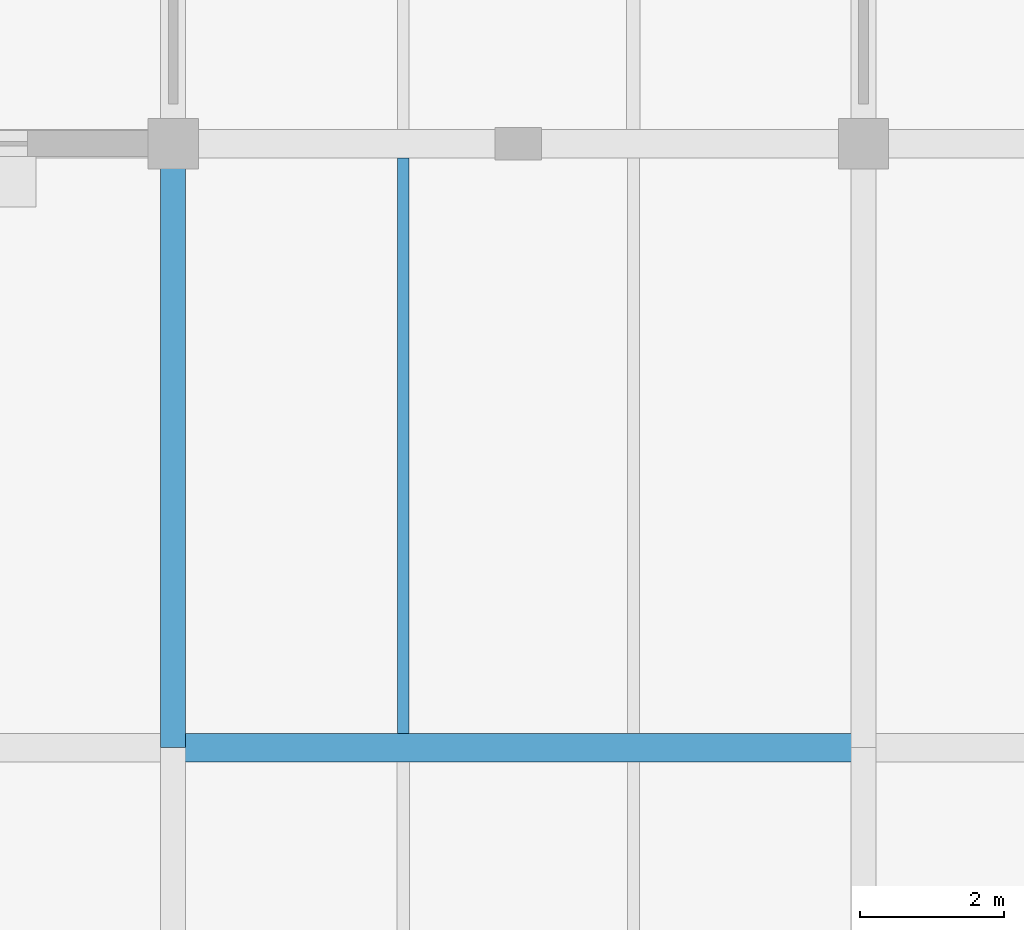
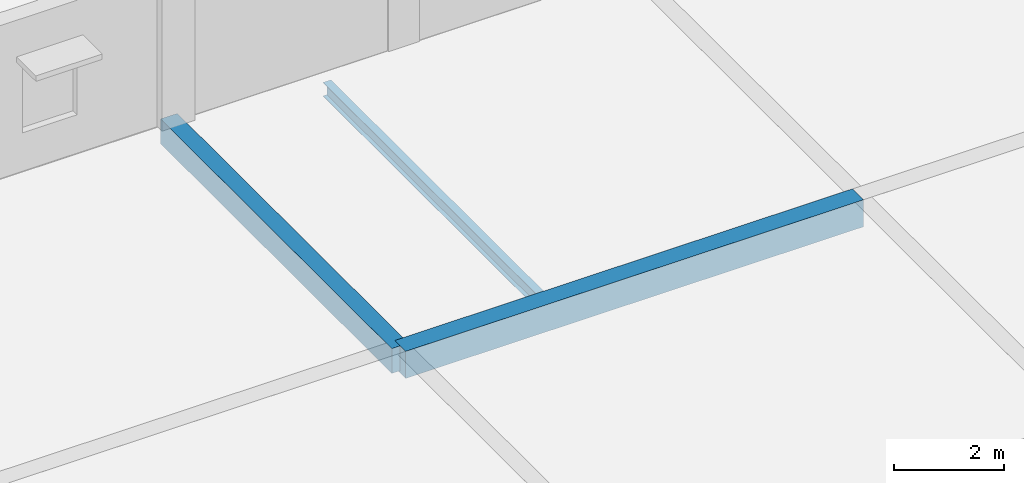
# One storey, part 14 of 57: 3 beams.
"""IFC4 building model written with IfcOpenShell, lengths in metres."""

from ifc_helpers import new_model, si_unit, direction, frame, origin, origin_2d, place, context, subcontext, project, spatial, rectangle, i_section, extrude, material, material_profile, profile_set, type_object, element, save


model = new_model("IFC4")

# Units and contexts
model_context = context("Model", 3, precision=1e-05, world=origin(), true_north=direction((0.0, 1.0)))
body_context = subcontext(model_context, "Body", "Model", "MODEL_VIEW")
ifc_project = project(units=[si_unit("LENGTHUNIT", "METRE"), si_unit("AREAUNIT", "SQUARE_METRE"), si_unit("VOLUMEUNIT", "CUBIC_METRE"), si_unit("PLANEANGLEUNIT", "RADIAN"), si_unit("MASSUNIT", "GRAM", prefix="KILO")], contexts=[model_context])

# Site, building, storey
site_placement = place(None, origin())
site = spatial("IfcSite", under=ifc_project, at=site_placement, CompositionType="ELEMENT")
building_placement = place(site_placement, origin())
building = spatial("IfcBuilding", under=site, at=building_placement, Name="Oolite Switchyard Hospital", CompositionType="ELEMENT")
storey_placement = place(building_placement, frame((0.0, 0.0, 17.800048828125)))
storey = spatial("IfcBuildingStorey", under=building, at=storey_placement, Name="L04", CompositionType="ELEMENT", Elevation=17.800048828125)

# Beams
ifc_material_1 = material(Name="Concrete C40/50", Category="concrete")
ifc_material_profile_1 = material_profile(ifc_material_1, rectangle(XDim=0.35009765625, YDim=0.550048828125, at=origin_2d()), Name="RCB350X550")
ifc_profile_set_1 = profile_set([ifc_material_profile_1], Name="Concrete C40/50")
beam_type_1 = type_object("IfcBeamType", Name="BM-RC350X550", PredefinedType="BEAM", material=ifc_profile_set_1)
beam_1_placement = place(storey_placement, frame((153.60009765625, 67.199951171875, -0.275146484375), z_axis=(0.0, 1.0, 0.0), x_axis=(-1.0, 0.0, 0.0)))
element("IfcBeam", 1, at=beam_1_placement, inside=storey, type_object=beam_type_1, Name="L04 Y-Girder 3009", PredefinedType="BEAM", context=body_context, shape_type="SweptSolid", body=[
    extrude(rectangle(XDim=0.35009765625, YDim=0.550048828125, at=origin_2d()), origin(), (0.0, 0.0, 1.0), 8.400146484375),
])
ifc_material_profile_2 = material_profile(ifc_material_1, rectangle(XDim=0.39990234375, YDim=0.60009765625, at=origin_2d()), Name="RCB400X600")
ifc_profile_set_2 = profile_set([ifc_material_profile_2], Name="Concrete C40/50")
beam_type_2 = type_object("IfcBeamType", Name="BM-RC400X600", PredefinedType="BEAM", material=ifc_profile_set_2)
beam_2_placement = place(storey_placement, frame((153.60009765625, 67.199951171875, -0.300048828125), z_axis=(1.0, 0.0, 0.0), x_axis=(0.0, 1.0, 0.0)))
element("IfcBeam", 2, at=beam_2_placement, inside=storey, type_object=beam_type_2, Name="L04 X-Girder 2815", PredefinedType="BEAM", context=body_context, shape_type="SweptSolid", body=[
    extrude(rectangle(XDim=0.39990234375, YDim=0.60009765625, at=origin_2d()), origin(), (0.0, 0.0, 1.0), 9.599853515625),
])
ifc_material_2 = material(Name="Steel ASTM A992 Grade 50", Category="steel")
ifc_material_profile_3 = material_profile(ifc_material_2, i_section(OverallWidth=0.1650390625, OverallDepth=0.31005859375, WebThickness=0.006103515625, FlangeThickness=0.010009765625, at=origin_2d()), Name="W12X26")
ifc_profile_set_3 = profile_set([ifc_material_profile_3], Name="Steel ASTM A992 Grade 50")
beam_type_3 = type_object("IfcBeamType", Name="BM-W12X26", PredefinedType="JOIST", material=ifc_profile_set_3)
beam_3_placement = place(storey_placement, frame((156.800048828125, 67.39990234375, -0.375), z_axis=(0.0, 1.0, 0.0), x_axis=(-1.0, 0.0, 0.0)))
element("IfcBeam", 3, at=beam_3_placement, inside=storey, type_object=beam_type_3, Name="L04 Secondary Steel Joist 3221", PredefinedType="JOIST", context=body_context, shape_type="SweptSolid", body=[
    extrude(i_section(OverallWidth=0.1650390625, OverallDepth=0.31005859375, WebThickness=0.006103515625, FlangeThickness=0.010009765625, at=origin_2d()), origin(), (0.0, 0.0, 1.0), 8.0),
])

save(model, "model.ifc")
